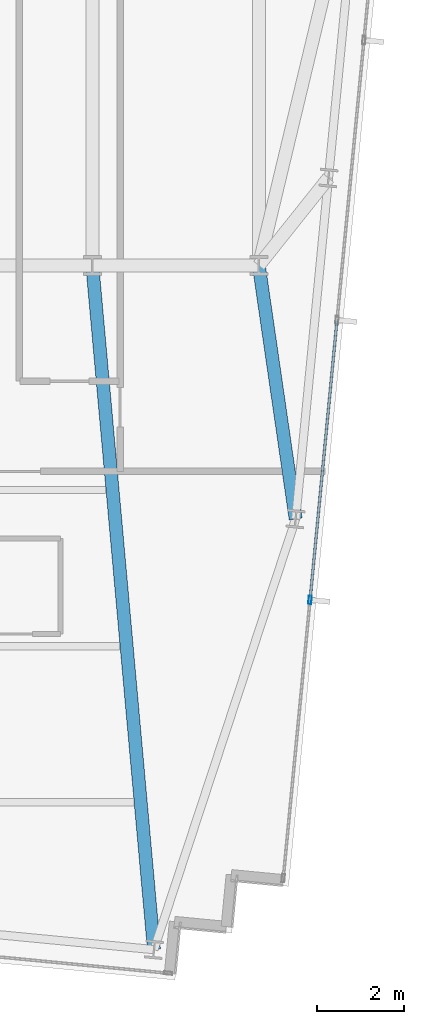
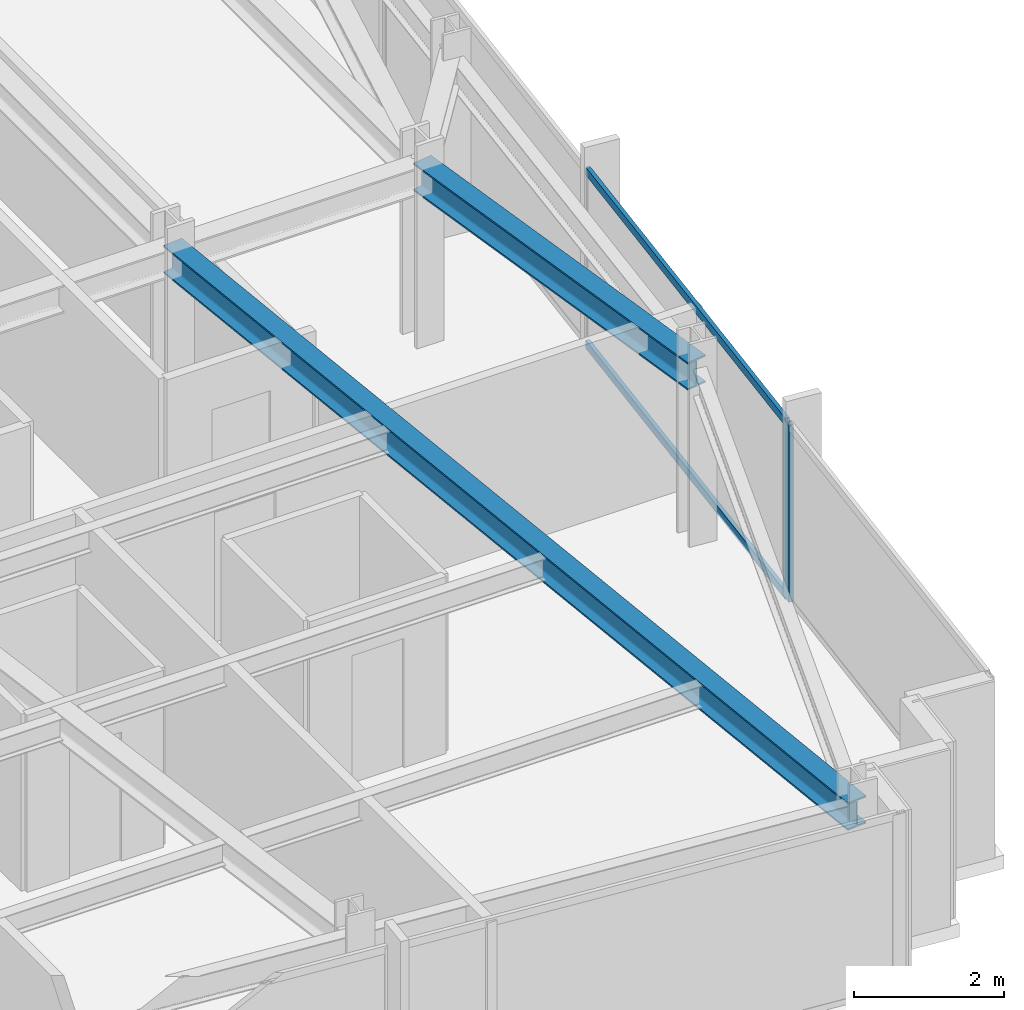
# One storey, part 15 of 37: 3 members, 2 beams, 1 element without a shape of its own.
"""IFC4 building model written with IfcOpenShell, lengths in metres."""

from ifc_helpers import new_model, si_unit, direction, frame, origin, origin_2d, place, context, subcontext, project, spatial, hollow_rectangle, i_section, extrude, material, material_profile, profile_set, type_object, element, aggregate, save


model = new_model("IFC4")

# Units and contexts
model_context = context("Model", 3, precision=1e-05, world=origin(), true_north=direction((0.0, 1.0)))
body_context = subcontext(model_context, "Body", "Model", "MODEL_VIEW")
ifc_project = project(units=[si_unit("LENGTHUNIT", "METRE"), si_unit("AREAUNIT", "SQUARE_METRE"), si_unit("VOLUMEUNIT", "CUBIC_METRE"), si_unit("PLANEANGLEUNIT", "RADIAN"), si_unit("MASSUNIT", "GRAM", prefix="KILO")], contexts=[model_context])

# Site, building, storey
site_placement = place(None, origin())
site = spatial("IfcSite", under=ifc_project, at=site_placement, CompositionType="ELEMENT")
building_placement = place(site_placement, origin())
building = spatial("IfcBuilding", under=site, at=building_placement, Name="Yelkora Congress Tower", CompositionType="ELEMENT")
storey_placement = place(building_placement, frame((0.0, 0.0, 188.60009765625)))
storey = spatial("IfcBuildingStorey", under=building, at=storey_placement, Name="L52", CompositionType="ELEMENT", Elevation=188.60009765625)

# Beams
ifc_material_1 = material(Name="Steel S355J2", Category="steel")
ifc_material_profile_1 = material_profile(ifc_material_1, i_section(OverallWidth=0.300048828125, OverallDepth=0.449951171875, WebThickness=0.013916015625, FlangeThickness=0.02587890625, FilletRadius=0.027099609375, at=origin_2d()), Name="HEB 450")
ifc_profile_set_1 = profile_set([ifc_material_profile_1], Name="Steel S355J2")
beam_type = type_object("IfcBeamType", Name="BM-GIRD-HEB450", PredefinedType="BEAM", material=ifc_profile_set_1)
beam_1_placement = place(storey_placement, frame((55.18212890625, 9.421142578125, 2.65478515625), z_axis=(-0.089764575953, 0.995963011815, 0.0), x_axis=(-0.995963011815, -0.089764575953, 0.0)))
element("IfcBeam", 1, at=beam_1_placement, inside=storey, type_object=beam_type, Name="L52 Primary Frame Girder S08", PredefinedType="BEAM", context=body_context, shape_type="SweptSolid", body=[
    extrude(i_section(OverallWidth=0.300048828125, OverallDepth=0.449951171875, WebThickness=0.013916015625, FlangeThickness=0.02587890625, FilletRadius=0.027099609375, at=origin_2d()), origin(), (0.0, 0.0, 1.0), 15.8427734375),
])
beam_2_placement = place(storey_placement, frame((58.44921875, 19.353759765625, 2.65478515625), z_axis=(-0.143735281382, 0.989616172506, 0.0), x_axis=(-0.989616172506, -0.143735281382, 0.0)))
element("IfcBeam", 2, at=beam_2_placement, inside=storey, type_object=beam_type, Name="L52 Primary Frame Girder E01", PredefinedType="BEAM", context=body_context, shape_type="SweptSolid", body=[
    extrude(i_section(OverallWidth=0.300048828125, OverallDepth=0.449951171875, WebThickness=0.013916015625, FlangeThickness=0.02587890625, FilletRadius=0.027099609375, at=origin_2d()), origin(), (0.0, 0.0, 1.0), 5.907470703125),
])

# Curtain wall, members
ifc_material_2 = material(Name="Anodised aluminium and insulated glass", Category="aluminium")
curtain_wall_type = type_object("IfcCurtainWallType", Name="CW-SYS-B3", PredefinedType="NOTDEFINED", material=ifc_material_2)
curtain_wall_placement = place(storey_placement, origin())
curtain_wall = element("IfcCurtainWall", 3, at=curtain_wall_placement, inside=storey, type_object=curtain_wall_type, Name="L52 Unitised Curtain Wall 15", PredefinedType="NOTDEFINED")
ifc_material_3 = material(Name="Anodised aluminium 6063-T6", Category="aluminium")
ifc_material_profile_2 = material_profile(ifc_material_3, hollow_rectangle(XDim=0.070068359375, YDim=0.18994140625, WallThickness=0.00390625, at=origin_2d()), Name="ALU 70x190x4")
ifc_profile_set_2 = profile_set([ifc_material_profile_2], Name="Anodised aluminium 6063-T6")
member_type_1 = type_object("IfcMemberType", Name="MEM-ML-B3", PredefinedType="MULLION", material=ifc_profile_set_2)
member_1_placement = place(storey_placement, frame((58.78173828125, 17.4873046875, 0.0), z_axis=(0.0, 0.0, 1.0), x_axis=(0.995396565076, -0.095841944023, 0.0)))
member_1 = element("IfcMember", 4, at=member_1_placement, type_object=member_type_1, Name="CW-B3 mullion 5", PredefinedType="MULLION", context=body_context, shape_type="SweptSolid", body=[
    extrude(hollow_rectangle(XDim=0.070068359375, YDim=0.18994140625, WallThickness=0.00390625, at=origin_2d()), origin(), (0.0, 0.0, 1.0), 2.8798828125),
])
ifc_material_profile_3 = material_profile(ifc_material_3, hollow_rectangle(XDim=0.06005859375, YDim=0.1298828125, WallThickness=0.00390625, at=origin_2d()), Name="ALU 60x130x4")
ifc_profile_set_3 = profile_set([ifc_material_profile_3], Name="Anodised aluminium 6063-T6")
member_type_2 = type_object("IfcMemberType", Name="MEM-TR-B3", PredefinedType="USERDEFINED", material=ifc_profile_set_3)
member_2_placement = place(storey_placement, frame((59.39990234375, 23.90673828125, 0.02978515625), z_axis=(-0.095843682057, -0.995396397728, 0.0), x_axis=(0.995396397728, -0.095843682057, 0.0)))
member_2 = element("IfcMember", 5, at=member_2_placement, type_object=member_type_2, Name="CW-B3 transom 4.1", ObjectType="TRANSOM", PredefinedType="USERDEFINED", context=body_context, shape_type="SweptSolid", body=[
    extrude(hollow_rectangle(XDim=0.06005859375, YDim=0.1298828125, WallThickness=0.00390625, at=origin_2d()), origin(), (0.0, 0.0, 1.0), 6.4140625),
])
member_3_placement = place(storey_placement, frame((59.39990234375, 23.90673828125, 2.849853515625), z_axis=(-0.095843682057, -0.995396397728, 0.0), x_axis=(0.995396397728, -0.095843682057, 0.0)))
member_3 = element("IfcMember", 6, at=member_3_placement, type_object=member_type_2, Name="CW-B3 transom 4.2", ObjectType="TRANSOM", PredefinedType="USERDEFINED", context=body_context, shape_type="SweptSolid", body=[
    extrude(hollow_rectangle(XDim=0.06005859375, YDim=0.1298828125, WallThickness=0.00390625, at=origin_2d()), origin(), (0.0, 0.0, 1.0), 6.4140625),
])
aggregate(curtain_wall, [member_1, member_2, member_3])

save(model, "model.ifc")
